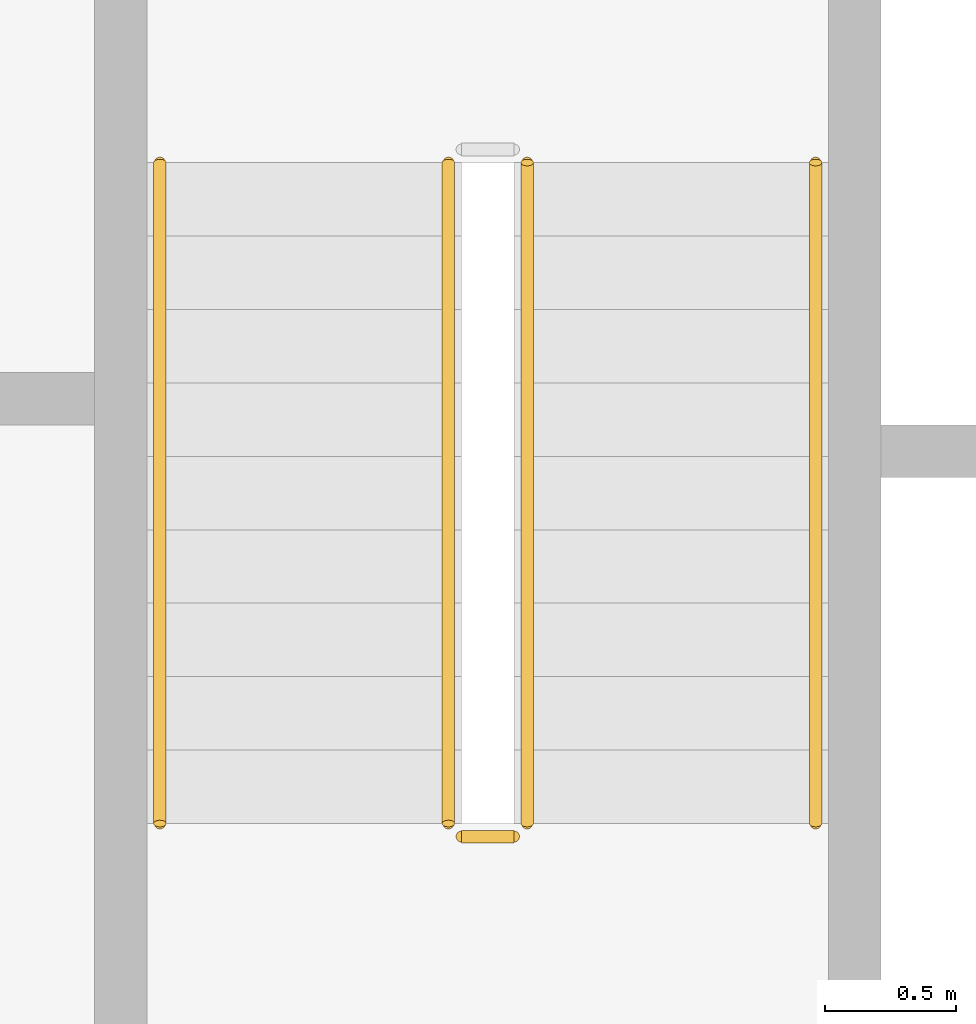
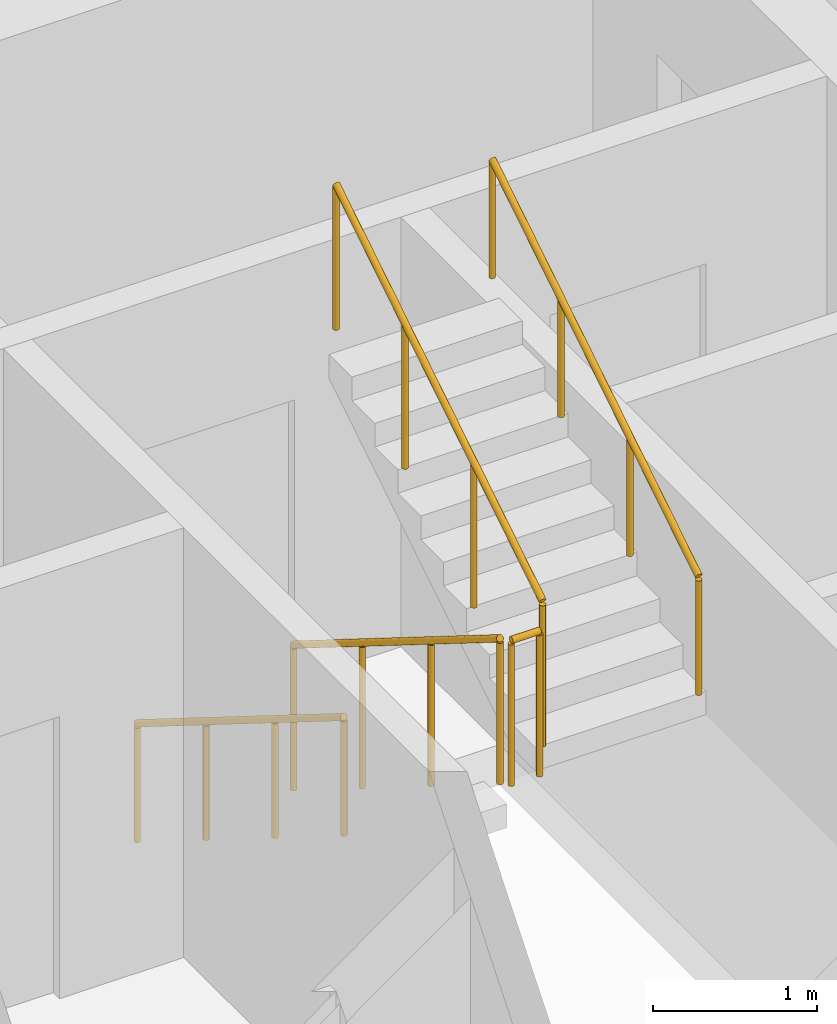
# One storey, part 15 of 22: 5 railings.
"""IFC4 building model written with IfcOpenShell, lengths in metres."""

from ifc_helpers import new_model, si_unit, direction, frame, origin, origin_2d, place, context, subcontext, project, spatial, circle, extrude, material, type_object, element, save


model = new_model("IFC4")

# Units and contexts
model_context = context("Model", 3, precision=1e-05, world=origin(), true_north=direction((0.0, 1.0)))
body_context = subcontext(model_context, "Body", "Model", "MODEL_VIEW")
ifc_project = project(units=[si_unit("LENGTHUNIT", "METRE"), si_unit("AREAUNIT", "SQUARE_METRE"), si_unit("VOLUMEUNIT", "CUBIC_METRE"), si_unit("PLANEANGLEUNIT", "RADIAN"), si_unit("MASSUNIT", "GRAM", prefix="KILO")], contexts=[model_context])

# Site, building, storey
site_placement = place(None, origin())
site = spatial("IfcSite", under=ifc_project, at=site_placement, CompositionType="ELEMENT")
building_placement = place(site_placement, origin())
building = spatial("IfcBuilding", under=site, at=building_placement, Name="Kiln Ring Residences", CompositionType="ELEMENT")
storey_placement = place(building_placement, frame((0.0, 0.0, 150.10009765625)))
storey = spatial("IfcBuildingStorey", under=building, at=storey_placement, Name="L38", CompositionType="ELEMENT", Elevation=150.10009765625)

# Railings
ifc_material_1 = material(Name="Stainless steel", Category="steel")
railing_type_1 = type_object("IfcRailingType", Name="CORE-STAIR-GUARD", PredefinedType="GUARDRAIL", material=ifc_material_1)
railing_1_placement = place(storey_placement, frame((-22.25, 8.39990234375, 0.1748046875)))
element("IfcRailing", 1, at=railing_1_placement, inside=storey, type_object=railing_type_1, Name="L38 W-STN stair guard 1", PredefinedType="GUARDRAIL", context=body_context, shape_type="SweptSolid", body=[
    extrude(circle(Radius=0.02392578125, at=origin_2d()), frame((0.0, 0.0, 1.076171875), z_axis=(0.0, -0.847970611238, 0.530043245855), x_axis=(1.0, 0.0, 0.0)), (0.0, 0.0, 1.0), 2.971923828125),
    extrude(circle(Radius=0.02099609375, at=origin_2d()), origin(), (0.0, 0.0, 1.0), 1.052001953125),
    extrude(circle(Radius=0.02099609375, at=origin_2d()), frame((0.0, -0.840087890625, 0.525146484375)), (0.0, 0.0, 1.0), 1.052001953125),
    extrude(circle(Radius=0.02099609375, at=origin_2d()), frame((0.0, -1.679931640625, 1.050048828125)), (0.0, 0.0, 1.0), 1.052001953125),
    extrude(circle(Radius=0.02099609375, at=origin_2d()), frame((0.0, -2.52001953125, 1.5751953125)), (0.0, 0.0, 1.0), 1.052001953125),
])
railing_2_placement = place(storey_placement, frame((-22.199951171875, 5.830078125, 1.75)))
element("IfcRailing", 2, at=railing_2_placement, inside=storey, type_object=railing_type_1, Name="L38 W-STN stair guard 2", PredefinedType="GUARDRAIL", context=body_context, shape_type="SweptSolid", body=[
    extrude(circle(Radius=0.02392578125, at=origin_2d()), frame((0.0, 0.0, 1.076171875), z_axis=(1.0, 0.0, 0.0), x_axis=(0.0, 1.0, 0.0)), (0.0, 0.0, 1.0), 0.199951171875),
    extrude(circle(Radius=0.02099609375, at=origin_2d()), origin(), (0.0, 0.0, 1.0), 1.052001953125),
    extrude(circle(Radius=0.02099609375, at=origin_2d()), frame((0.199951171875, 0.0, 0.0)), (0.0, 0.0, 1.0), 1.052001953125),
])
railing_3_placement = place(storey_placement, frame((-21.949951171875, 5.8798828125, 1.9248046875)))
element("IfcRailing", 3, at=railing_3_placement, inside=storey, type_object=railing_type_1, Name="L38 W-STN stair guard 3", PredefinedType="GUARDRAIL", context=body_context, shape_type="SweptSolid", body=[
    extrude(circle(Radius=0.02392578125, at=origin_2d()), frame((0.0, 0.0, 1.076171875), z_axis=(0.0, 0.847970611238, 0.530043245855), x_axis=(-1.0, 0.0, 0.0)), (0.0, 0.0, 1.0), 2.971923828125),
    extrude(circle(Radius=0.02099609375, at=origin_2d()), origin(), (0.0, 0.0, 1.0), 1.052001953125),
    extrude(circle(Radius=0.02099609375, at=origin_2d()), frame((0.0, 0.840087890625, 0.525146484375)), (0.0, 0.0, 1.0), 1.052001953125),
    extrude(circle(Radius=0.02099609375, at=origin_2d()), frame((0.0, 1.679931640625, 1.050048828125)), (0.0, 0.0, 1.0), 1.052001953125),
    extrude(circle(Radius=0.02099609375, at=origin_2d()), frame((0.0, 2.52001953125, 1.5751953125)), (0.0, 0.0, 1.0), 1.052001953125),
])
ifc_material_2 = material(Name="Stainless steel", Category="steel")
railing_type_2 = type_object("IfcRailingType", Name="CORE-STAIR-HANDRAIL", PredefinedType="HANDRAIL", material=ifc_material_2)
railing_4_placement = place(storey_placement, frame((-23.35009765625, 8.39990234375, 0.1748046875)))
element("IfcRailing", 4, at=railing_4_placement, inside=storey, type_object=railing_type_2, Name="L38 W-STN stair handrail 1", PredefinedType="HANDRAIL", context=body_context, shape_type="SweptSolid", body=[
    extrude(circle(Radius=0.02392578125, at=origin_2d()), frame((0.0, 0.0, 0.8759765625), z_axis=(0.0, -0.847970611238, 0.530043245855), x_axis=(1.0, 0.0, 0.0)), (0.0, 0.0, 1.0), 2.971923828125),
    extrude(circle(Radius=0.02099609375, at=origin_2d()), origin(), (0.0, 0.0, 1.0), 0.851806640625),
    extrude(circle(Radius=0.02099609375, at=origin_2d()), frame((0.0, -0.840087890625, 0.525146484375)), (0.0, 0.0, 1.0), 0.851806640625),
    extrude(circle(Radius=0.02099609375, at=origin_2d()), frame((0.0, -1.679931640625, 1.050048828125)), (0.0, 0.0, 1.0), 0.851806640625),
    extrude(circle(Radius=0.02099609375, at=origin_2d()), frame((0.0, -2.52001953125, 1.5751953125)), (0.0, 0.0, 1.0), 0.851806640625),
])
railing_5_placement = place(storey_placement, frame((-20.85009765625, 5.8798828125, 1.9248046875)))
element("IfcRailing", 5, at=railing_5_placement, inside=storey, type_object=railing_type_2, Name="L38 W-STN stair handrail 2", PredefinedType="HANDRAIL", context=body_context, shape_type="SweptSolid", body=[
    extrude(circle(Radius=0.02392578125, at=origin_2d()), frame((0.0, 0.0, 0.8759765625), z_axis=(0.0, 0.847970611238, 0.530043245855), x_axis=(-1.0, 0.0, 0.0)), (0.0, 0.0, 1.0), 2.971923828125),
    extrude(circle(Radius=0.02099609375, at=origin_2d()), origin(), (0.0, 0.0, 1.0), 0.851806640625),
    extrude(circle(Radius=0.02099609375, at=origin_2d()), frame((0.0, 0.840087890625, 0.525146484375)), (0.0, 0.0, 1.0), 0.851806640625),
    extrude(circle(Radius=0.02099609375, at=origin_2d()), frame((0.0, 1.679931640625, 1.050048828125)), (0.0, 0.0, 1.0), 0.851806640625),
    extrude(circle(Radius=0.02099609375, at=origin_2d()), frame((0.0, 2.52001953125, 1.5751953125)), (0.0, 0.0, 1.0), 0.851806640625),
])

save(model, "model.ifc")
